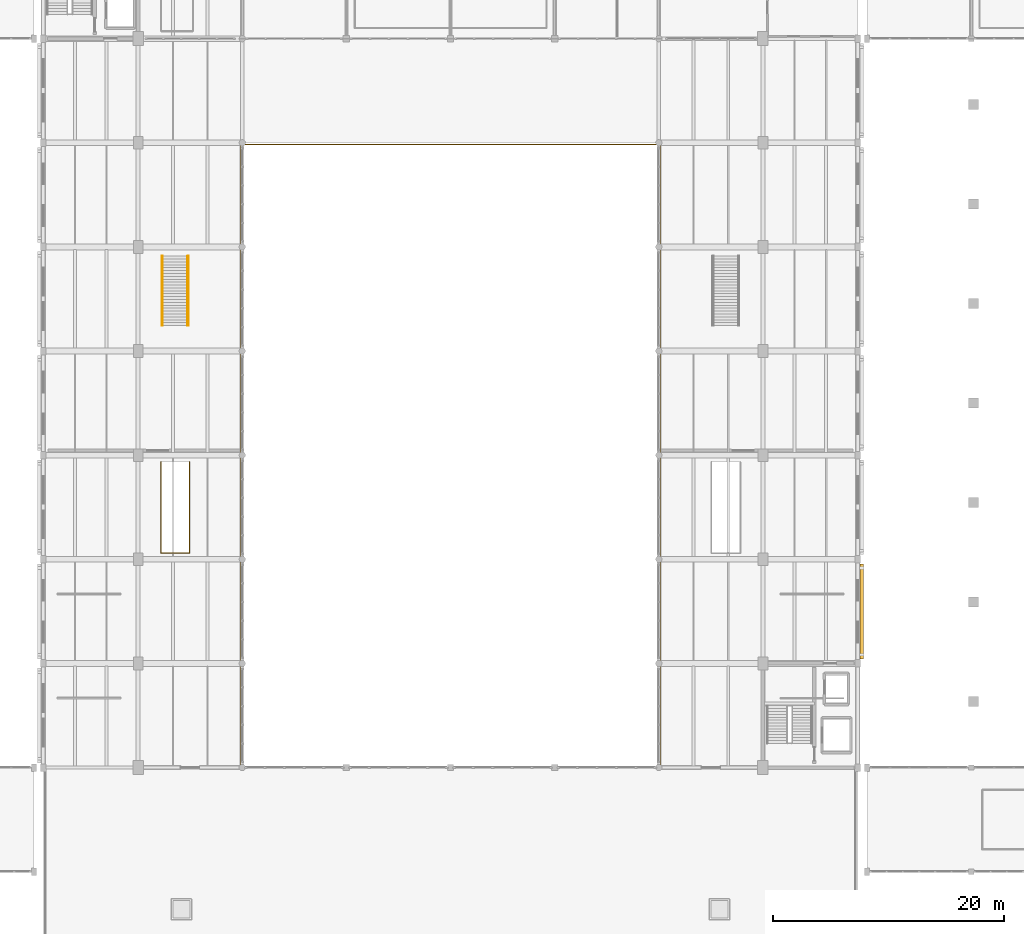
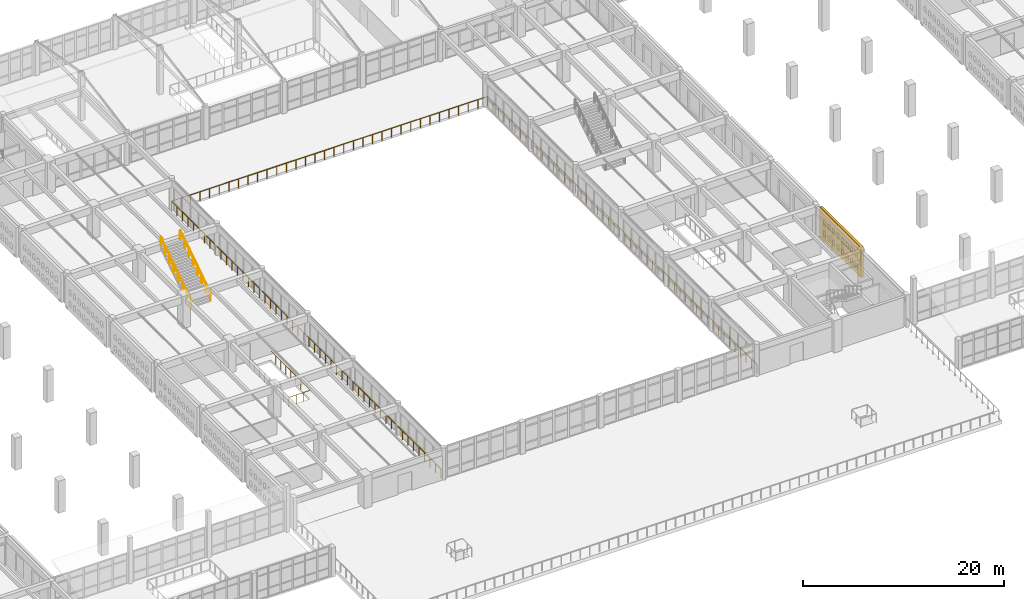
# One storey, part 147 of 156: 6 railings, 1 covering.
"""IFC4 building model written with IfcOpenShell, lengths in metres."""

from ifc_helpers import new_model, si_unit, direction, frame, origin, origin_2d, place, context, subcontext, project, spatial, polyline, circle, outline, extrude, material, layer, layer_set, type_object, element, save


model = new_model("IFC4")

# Units and contexts
model_context = context("Model", 3, precision=1e-05, world=origin(), true_north=direction((0.0, 1.0)))
body_context = subcontext(model_context, "Body", "Model", "MODEL_VIEW")
ifc_project = project(units=[si_unit("LENGTHUNIT", "METRE"), si_unit("AREAUNIT", "SQUARE_METRE"), si_unit("VOLUMEUNIT", "CUBIC_METRE"), si_unit("PLANEANGLEUNIT", "RADIAN"), si_unit("MASSUNIT", "GRAM", prefix="KILO")], contexts=[model_context])

# Site, building, storey
site_placement = place(None, origin())
site = spatial("IfcSite", under=ifc_project, at=site_placement, CompositionType="ELEMENT")
building_placement = place(site_placement, origin())
building = spatial("IfcBuilding", under=site, at=building_placement, Name="Ornek Quay Market", CompositionType="ELEMENT")
storey_placement = place(building_placement, frame((0.0, 0.0, 4.5)))
storey = spatial("IfcBuildingStorey", under=building, at=storey_placement, Name="L01", CompositionType="ELEMENT", Elevation=4.5)

# Covering
ifc_material_1 = material(Name="Frost-resistant facing clay brick M200 F100", Category="masonry")
ifc_layer = layer(ifc_material_1, 0.2900390625, Name="Frost-resistant facing clay brick M200 F100", Category="masonry")
ifc_layer_set = layer_set([ifc_layer], Name="Frost-resistant facing clay brick M200 F100")
covering_type = type_object("IfcCoveringType", Name="COV-BRICK-LATTICE-290", PredefinedType="CLADDING", material=ifc_layer_set)
covering_placement = place(storey_placement, frame((125.5400390625, 38.39990234375, 0.0), z_axis=(0.0, 0.0, 1.0), x_axis=(0.0, 1.0, 0.0)))
element("IfcCovering", 1, at=covering_placement, inside=storey, type_object=covering_type, Name="Arched brick lattice screen BLS-049", PredefinedType="CLADDING", context=body_context, shape_type="SweptSolid", body=[
    extrude(outline(polyline([(0.0, 0.0), (8.2001953125, 0.0), (8.2001953125, 3.659912109375), (0.0, 3.659912109375), (0.0, 0.0)]), holes=[polyline([(0.7099609375, 0.550048828125), (1.18994140625, 0.550048828125), (1.18994140625, 1.050048828125), (1.070068359375, 1.2578125), (0.830078125, 1.2578125), (0.7099609375, 1.050048828125), (0.7099609375, 0.550048828125)]), polyline([(0.7099609375, 1.949951171875), (1.18994140625, 1.949951171875), (1.18994140625, 2.449951171875), (1.070068359375, 2.65771484375), (0.830078125, 2.65771484375), (0.7099609375, 2.449951171875), (0.7099609375, 1.949951171875)]), polyline([(1.610107421875, 0.550048828125), (2.090087890625, 0.550048828125), (2.090087890625, 1.050048828125), (1.969970703125, 1.2578125), (1.72998046875, 1.2578125), (1.610107421875, 1.050048828125), (1.610107421875, 0.550048828125)]), polyline([(1.610107421875, 1.949951171875), (2.090087890625, 1.949951171875), (2.090087890625, 2.449951171875), (1.969970703125, 2.65771484375), (1.72998046875, 2.65771484375), (1.610107421875, 2.449951171875), (1.610107421875, 1.949951171875)]), polyline([(2.510009765625, 0.550048828125), (2.989990234375, 0.550048828125), (2.989990234375, 1.050048828125), (2.8701171875, 1.2578125), (2.6298828125, 1.2578125), (2.510009765625, 1.050048828125), (2.510009765625, 0.550048828125)]), polyline([(2.510009765625, 1.949951171875), (2.989990234375, 1.949951171875), (2.989990234375, 2.449951171875), (2.8701171875, 2.65771484375), (2.6298828125, 2.65771484375), (2.510009765625, 2.449951171875), (2.510009765625, 1.949951171875)]), polyline([(3.409912109375, 0.550048828125), (3.889892578125, 0.550048828125), (3.889892578125, 1.050048828125), (3.77001953125, 1.2578125), (3.530029296875, 1.2578125), (3.409912109375, 1.050048828125), (3.409912109375, 0.550048828125)]), polyline([(3.409912109375, 1.949951171875), (3.889892578125, 1.949951171875), (3.889892578125, 2.449951171875), (3.77001953125, 2.65771484375), (3.530029296875, 2.65771484375), (3.409912109375, 2.449951171875), (3.409912109375, 1.949951171875)]), polyline([(4.31005859375, 0.550048828125), (4.7900390625, 0.550048828125), (4.7900390625, 1.050048828125), (4.669921875, 1.2578125), (4.429931640625, 1.2578125), (4.31005859375, 1.050048828125), (4.31005859375, 0.550048828125)]), polyline([(4.31005859375, 1.949951171875), (4.7900390625, 1.949951171875), (4.7900390625, 2.449951171875), (4.669921875, 2.65771484375), (4.429931640625, 2.65771484375), (4.31005859375, 2.449951171875), (4.31005859375, 1.949951171875)]), polyline([(5.2099609375, 0.550048828125), (5.68994140625, 0.550048828125), (5.68994140625, 1.050048828125), (5.570068359375, 1.2578125), (5.330078125, 1.2578125), (5.2099609375, 1.050048828125), (5.2099609375, 0.550048828125)]), polyline([(5.2099609375, 1.949951171875), (5.68994140625, 1.949951171875), (5.68994140625, 2.449951171875), (5.570068359375, 2.65771484375), (5.330078125, 2.65771484375), (5.2099609375, 2.449951171875), (5.2099609375, 1.949951171875)]), polyline([(6.110107421875, 0.550048828125), (6.590087890625, 0.550048828125), (6.590087890625, 1.050048828125), (6.469970703125, 1.2578125), (6.22998046875, 1.2578125), (6.110107421875, 1.050048828125), (6.110107421875, 0.550048828125)]), polyline([(6.110107421875, 1.949951171875), (6.590087890625, 1.949951171875), (6.590087890625, 2.449951171875), (6.469970703125, 2.65771484375), (6.22998046875, 2.65771484375), (6.110107421875, 2.449951171875), (6.110107421875, 1.949951171875)]), polyline([(7.010009765625, 0.550048828125), (7.489990234375, 0.550048828125), (7.489990234375, 1.050048828125), (7.3701171875, 1.2578125), (7.1298828125, 1.2578125), (7.010009765625, 1.050048828125), (7.010009765625, 0.550048828125)]), polyline([(7.010009765625, 1.949951171875), (7.489990234375, 1.949951171875), (7.489990234375, 2.449951171875), (7.3701171875, 2.65771484375), (7.1298828125, 2.65771484375), (7.010009765625, 2.449951171875), (7.010009765625, 1.949951171875)])]), frame((0.0, 0.14501953125, 0.0), z_axis=(0.0, -1.0, 0.0), x_axis=(1.0, 0.0, 0.0)), (0.0, 0.0, 1.0), 0.2900390625),
])

# Railings
ifc_material_2 = material(Name="Painted steel S355 and vertical infill bars", Category="steel")
railing_type_1 = type_object("IfcRailingType", Name="RL-GUARD-GAL-1100", PredefinedType="GUARDRAIL", material=ifc_material_2)
railing_1_placement = place(storey_placement, frame((64.9599609375, 55.39990234375, 0.0)))
element("IfcRailing", 2, at=railing_1_placement, inside=storey, type_object=railing_type_1, Name="Railing GR-01-069", PredefinedType="GUARDRAIL", context=body_context, shape_type="SweptSolid", body=[
    extrude(circle(Radius=0.02392578125, at=origin_2d()), frame((0.0, 0.0, 1.09619140625), z_axis=(0.0, -1.0, 0.0), x_axis=(1.0, 0.0, 0.0)), (0.0, 0.0, 1.0), 7.829833984375),
    extrude(circle(Radius=0.02392578125, at=origin_2d()), frame((0.030029296875, -7.85986328125, 1.09619140625), z_axis=(1.0, 0.0, 0.0), x_axis=(0.0, 1.0, 0.0)), (0.0, 0.0, 1.0), 2.419921875),
    extrude(circle(Radius=0.02392578125, at=origin_2d()), frame((2.47998046875, -7.829833984375, 1.09619140625), z_axis=(0.0, 1.0, 0.0), x_axis=(-1.0, 0.0, 0.0)), (0.0, 0.0, 1.0), 7.829833984375),
    extrude(circle(Radius=0.02099609375, at=origin_2d()), origin(), (0.0, 0.0, 1.0), 1.068115234375),
    extrude(circle(Radius=0.02099609375, at=origin_2d()), frame((0.0, -0.982421875, 0.0)), (0.0, 0.0, 1.0), 1.068115234375),
    extrude(circle(Radius=0.02099609375, at=origin_2d()), frame((0.0, -1.96484375, 0.0)), (0.0, 0.0, 1.0), 1.068115234375),
    extrude(circle(Radius=0.02099609375, at=origin_2d()), frame((0.0, -2.947509765625, 0.0)), (0.0, 0.0, 1.0), 1.068115234375),
    extrude(circle(Radius=0.02099609375, at=origin_2d()), frame((0.0, -3.929931640625, 0.0)), (0.0, 0.0, 1.0), 1.068115234375),
    extrude(circle(Radius=0.02099609375, at=origin_2d()), frame((0.0, -4.912353515625, 0.0)), (0.0, 0.0, 1.0), 1.068115234375),
    extrude(circle(Radius=0.02099609375, at=origin_2d()), frame((0.0, -5.89501953125, 0.0)), (0.0, 0.0, 1.0), 1.068115234375),
    extrude(circle(Radius=0.02099609375, at=origin_2d()), frame((0.0, -6.87744140625, 0.0)), (0.0, 0.0, 1.0), 1.068115234375),
    extrude(circle(Radius=0.02099609375, at=origin_2d()), frame((0.0, -7.85986328125, 0.0)), (0.0, 0.0, 1.0), 1.068115234375),
    extrude(circle(Radius=0.02099609375, at=origin_2d()), frame((0.82666015625, -7.85986328125, 0.0)), (0.0, 0.0, 1.0), 1.068115234375),
    extrude(circle(Radius=0.02099609375, at=origin_2d()), frame((1.6533203125, -7.85986328125, 0.0)), (0.0, 0.0, 1.0), 1.068115234375),
    extrude(circle(Radius=0.02099609375, at=origin_2d()), frame((2.47998046875, -7.85986328125, 0.0)), (0.0, 0.0, 1.0), 1.068115234375),
    extrude(circle(Radius=0.02099609375, at=origin_2d()), frame((2.47998046875, -6.87744140625, 0.0)), (0.0, 0.0, 1.0), 1.068115234375),
    extrude(circle(Radius=0.02099609375, at=origin_2d()), frame((2.47998046875, -5.89501953125, 0.0)), (0.0, 0.0, 1.0), 1.068115234375),
    extrude(circle(Radius=0.02099609375, at=origin_2d()), frame((2.47998046875, -4.912353515625, 0.0)), (0.0, 0.0, 1.0), 1.068115234375),
    extrude(circle(Radius=0.02099609375, at=origin_2d()), frame((2.47998046875, -3.929931640625, 0.0)), (0.0, 0.0, 1.0), 1.068115234375),
    extrude(circle(Radius=0.02099609375, at=origin_2d()), frame((2.47998046875, -2.947509765625, 0.0)), (0.0, 0.0, 1.0), 1.068115234375),
    extrude(circle(Radius=0.02099609375, at=origin_2d()), frame((2.47998046875, -1.96484375, 0.0)), (0.0, 0.0, 1.0), 1.068115234375),
    extrude(circle(Radius=0.02099609375, at=origin_2d()), frame((2.47998046875, -0.982421875, 0.0)), (0.0, 0.0, 1.0), 1.068115234375),
    extrude(circle(Radius=0.02099609375, at=origin_2d()), frame((2.47998046875, 0.0, 0.0)), (0.0, 0.0, 1.0), 1.068115234375),
])
railing_2_placement = place(storey_placement, frame((71.85009765625, 29.199951171875, 0.0)))
element("IfcRailing", 3, at=railing_2_placement, inside=storey, type_object=railing_type_1, Name="Railing GR-01-128", PredefinedType="GUARDRAIL", context=body_context, shape_type="SweptSolid", body=[
    extrude(circle(Radius=0.02392578125, at=origin_2d()), frame((0.0, 0.0, 1.09619140625), z_axis=(0.0, 1.0, 0.0), x_axis=(-1.0, 0.0, 0.0)), (0.0, 0.0, 1.0), 53.6201171875),
    extrude(circle(Radius=0.02392578125, at=origin_2d()), frame((0.030029296875, 53.650146484375, 1.09619140625), z_axis=(1.0, 0.0, 0.0), x_axis=(0.0, 1.0, 0.0)), (0.0, 0.0, 1.0), 36.23974609375),
    extrude(circle(Radius=0.02392578125, at=origin_2d()), frame((36.2998046875, 53.6201171875, 1.09619140625), z_axis=(0.0, -1.0, 0.0), x_axis=(1.0, 0.0, 0.0)), (0.0, 0.0, 1.0), 53.6201171875),
    extrude(circle(Radius=0.02099609375, at=origin_2d()), origin(), (0.0, 0.0, 1.0), 1.068115234375),
    extrude(circle(Radius=0.02099609375, at=origin_2d()), frame((0.0, 1.094970703125, 0.0)), (0.0, 0.0, 1.0), 1.068115234375),
    extrude(circle(Radius=0.02099609375, at=origin_2d()), frame((0.0, 2.189697265625, 0.0)), (0.0, 0.0, 1.0), 1.068115234375),
    extrude(circle(Radius=0.02099609375, at=origin_2d()), frame((0.0, 3.28466796875, 0.0)), (0.0, 0.0, 1.0), 1.068115234375),
    extrude(circle(Radius=0.02099609375, at=origin_2d()), frame((0.0, 4.379638671875, 0.0)), (0.0, 0.0, 1.0), 1.068115234375),
    extrude(circle(Radius=0.02099609375, at=origin_2d()), frame((0.0, 5.474609375, 0.0)), (0.0, 0.0, 1.0), 1.068115234375),
    extrude(circle(Radius=0.02099609375, at=origin_2d()), frame((0.0, 6.5693359375, 0.0)), (0.0, 0.0, 1.0), 1.068115234375),
    extrude(circle(Radius=0.02099609375, at=origin_2d()), frame((0.0, 7.664306640625, 0.0)), (0.0, 0.0, 1.0), 1.068115234375),
    extrude(circle(Radius=0.02099609375, at=origin_2d()), frame((0.0, 8.75927734375, 0.0)), (0.0, 0.0, 1.0), 1.068115234375),
    extrude(circle(Radius=0.02099609375, at=origin_2d()), frame((0.0, 9.85400390625, 0.0)), (0.0, 0.0, 1.0), 1.068115234375),
    extrude(circle(Radius=0.02099609375, at=origin_2d()), frame((0.0, 10.948974609375, 0.0)), (0.0, 0.0, 1.0), 1.068115234375),
    extrude(circle(Radius=0.02099609375, at=origin_2d()), frame((0.0, 12.0439453125, 0.0)), (0.0, 0.0, 1.0), 1.068115234375),
    extrude(circle(Radius=0.02099609375, at=origin_2d()), frame((0.0, 13.138916015625, 0.0)), (0.0, 0.0, 1.0), 1.068115234375),
    extrude(circle(Radius=0.02099609375, at=origin_2d()), frame((0.0, 14.233642578125, 0.0)), (0.0, 0.0, 1.0), 1.068115234375),
    extrude(circle(Radius=0.02099609375, at=origin_2d()), frame((0.0, 15.32861328125, 0.0)), (0.0, 0.0, 1.0), 1.068115234375),
    extrude(circle(Radius=0.02099609375, at=origin_2d()), frame((0.0, 16.423583984375, 0.0)), (0.0, 0.0, 1.0), 1.068115234375),
    extrude(circle(Radius=0.02099609375, at=origin_2d()), frame((0.0, 17.518310546875, 0.0)), (0.0, 0.0, 1.0), 1.068115234375),
    extrude(circle(Radius=0.02099609375, at=origin_2d()), frame((0.0, 18.61328125, 0.0)), (0.0, 0.0, 1.0), 1.068115234375),
    extrude(circle(Radius=0.02099609375, at=origin_2d()), frame((0.0, 19.708251953125, 0.0)), (0.0, 0.0, 1.0), 1.068115234375),
    extrude(circle(Radius=0.02099609375, at=origin_2d()), frame((0.0, 20.80322265625, 0.0)), (0.0, 0.0, 1.0), 1.068115234375),
    extrude(circle(Radius=0.02099609375, at=origin_2d()), frame((0.0, 21.89794921875, 0.0)), (0.0, 0.0, 1.0), 1.068115234375),
    extrude(circle(Radius=0.02099609375, at=origin_2d()), frame((0.0, 22.992919921875, 0.0)), (0.0, 0.0, 1.0), 1.068115234375),
    extrude(circle(Radius=0.02099609375, at=origin_2d()), frame((0.0, 24.087890625, 0.0)), (0.0, 0.0, 1.0), 1.068115234375),
    extrude(circle(Radius=0.02099609375, at=origin_2d()), frame((0.0, 25.1826171875, 0.0)), (0.0, 0.0, 1.0), 1.068115234375),
    extrude(circle(Radius=0.02099609375, at=origin_2d()), frame((0.0, 26.277587890625, 0.0)), (0.0, 0.0, 1.0), 1.068115234375),
    extrude(circle(Radius=0.02099609375, at=origin_2d()), frame((0.0, 27.37255859375, 0.0)), (0.0, 0.0, 1.0), 1.068115234375),
    extrude(circle(Radius=0.02099609375, at=origin_2d()), frame((0.0, 28.467529296875, 0.0)), (0.0, 0.0, 1.0), 1.068115234375),
    extrude(circle(Radius=0.02099609375, at=origin_2d()), frame((0.0, 29.562255859375, 0.0)), (0.0, 0.0, 1.0), 1.068115234375),
    extrude(circle(Radius=0.02099609375, at=origin_2d()), frame((0.0, 30.6572265625, 0.0)), (0.0, 0.0, 1.0), 1.068115234375),
    extrude(circle(Radius=0.02099609375, at=origin_2d()), frame((0.0, 31.752197265625, 0.0)), (0.0, 0.0, 1.0), 1.068115234375),
    extrude(circle(Radius=0.02099609375, at=origin_2d()), frame((0.0, 32.846923828125, 0.0)), (0.0, 0.0, 1.0), 1.068115234375),
    extrude(circle(Radius=0.02099609375, at=origin_2d()), frame((0.0, 33.94189453125, 0.0)), (0.0, 0.0, 1.0), 1.068115234375),
    extrude(circle(Radius=0.02099609375, at=origin_2d()), frame((0.0, 35.036865234375, 0.0)), (0.0, 0.0, 1.0), 1.068115234375),
    extrude(circle(Radius=0.02099609375, at=origin_2d()), frame((0.0, 36.1318359375, 0.0)), (0.0, 0.0, 1.0), 1.068115234375),
    extrude(circle(Radius=0.02099609375, at=origin_2d()), frame((0.0, 37.2265625, 0.0)), (0.0, 0.0, 1.0), 1.068115234375),
    extrude(circle(Radius=0.02099609375, at=origin_2d()), frame((0.0, 38.321533203125, 0.0)), (0.0, 0.0, 1.0), 1.068115234375),
    extrude(circle(Radius=0.02099609375, at=origin_2d()), frame((0.0, 39.41650390625, 0.0)), (0.0, 0.0, 1.0), 1.068115234375),
    extrude(circle(Radius=0.02099609375, at=origin_2d()), frame((0.0, 40.51123046875, 0.0)), (0.0, 0.0, 1.0), 1.068115234375),
    extrude(circle(Radius=0.02099609375, at=origin_2d()), frame((0.0, 41.606201171875, 0.0)), (0.0, 0.0, 1.0), 1.068115234375),
    extrude(circle(Radius=0.02099609375, at=origin_2d()), frame((0.0, 42.701171875, 0.0)), (0.0, 0.0, 1.0), 1.068115234375),
    extrude(circle(Radius=0.02099609375, at=origin_2d()), frame((0.0, 43.796142578125, 0.0)), (0.0, 0.0, 1.0), 1.068115234375),
    extrude(circle(Radius=0.02099609375, at=origin_2d()), frame((0.0, 44.890869140625, 0.0)), (0.0, 0.0, 1.0), 1.068115234375),
    extrude(circle(Radius=0.02099609375, at=origin_2d()), frame((0.0, 45.98583984375, 0.0)), (0.0, 0.0, 1.0), 1.068115234375),
    extrude(circle(Radius=0.02099609375, at=origin_2d()), frame((0.0, 47.080810546875, 0.0)), (0.0, 0.0, 1.0), 1.068115234375),
    extrude(circle(Radius=0.02099609375, at=origin_2d()), frame((0.0, 48.175537109375, 0.0)), (0.0, 0.0, 1.0), 1.068115234375),
    extrude(circle(Radius=0.02099609375, at=origin_2d()), frame((0.0, 49.2705078125, 0.0)), (0.0, 0.0, 1.0), 1.068115234375),
    extrude(circle(Radius=0.02099609375, at=origin_2d()), frame((0.0, 50.365478515625, 0.0)), (0.0, 0.0, 1.0), 1.068115234375),
    extrude(circle(Radius=0.02099609375, at=origin_2d()), frame((0.0, 51.46044921875, 0.0)), (0.0, 0.0, 1.0), 1.068115234375),
    extrude(circle(Radius=0.02099609375, at=origin_2d()), frame((0.0, 52.55517578125, 0.0)), (0.0, 0.0, 1.0), 1.068115234375),
    extrude(circle(Radius=0.02099609375, at=origin_2d()), frame((0.0, 53.650146484375, 0.0)), (0.0, 0.0, 1.0), 1.068115234375),
    extrude(circle(Radius=0.02099609375, at=origin_2d()), frame((1.10009765625, 53.650146484375, 0.0)), (0.0, 0.0, 1.0), 1.068115234375),
    extrude(circle(Radius=0.02099609375, at=origin_2d()), frame((2.199951171875, 53.650146484375, 0.0)), (0.0, 0.0, 1.0), 1.068115234375),
    extrude(circle(Radius=0.02099609375, at=origin_2d()), frame((3.300048828125, 53.650146484375, 0.0)), (0.0, 0.0, 1.0), 1.068115234375),
    extrude(circle(Radius=0.02099609375, at=origin_2d()), frame((4.39990234375, 53.650146484375, 0.0)), (0.0, 0.0, 1.0), 1.068115234375),
    extrude(circle(Radius=0.02099609375, at=origin_2d()), frame((5.5, 53.650146484375, 0.0)), (0.0, 0.0, 1.0), 1.068115234375),
    extrude(circle(Radius=0.02099609375, at=origin_2d()), frame((6.599853515625, 53.650146484375, 0.0)), (0.0, 0.0, 1.0), 1.068115234375),
    extrude(circle(Radius=0.02099609375, at=origin_2d()), frame((7.699951171875, 53.650146484375, 0.0)), (0.0, 0.0, 1.0), 1.068115234375),
    extrude(circle(Radius=0.02099609375, at=origin_2d()), frame((8.800048828125, 53.650146484375, 0.0)), (0.0, 0.0, 1.0), 1.068115234375),
    extrude(circle(Radius=0.02099609375, at=origin_2d()), frame((9.89990234375, 53.650146484375, 0.0)), (0.0, 0.0, 1.0), 1.068115234375),
    extrude(circle(Radius=0.02099609375, at=origin_2d()), frame((11.0, 53.650146484375, 0.0)), (0.0, 0.0, 1.0), 1.068115234375),
    extrude(circle(Radius=0.02099609375, at=origin_2d()), frame((12.099853515625, 53.650146484375, 0.0)), (0.0, 0.0, 1.0), 1.068115234375),
    extrude(circle(Radius=0.02099609375, at=origin_2d()), frame((13.199951171875, 53.650146484375, 0.0)), (0.0, 0.0, 1.0), 1.068115234375),
    extrude(circle(Radius=0.02099609375, at=origin_2d()), frame((14.2998046875, 53.650146484375, 0.0)), (0.0, 0.0, 1.0), 1.068115234375),
    extrude(circle(Radius=0.02099609375, at=origin_2d()), frame((15.39990234375, 53.650146484375, 0.0)), (0.0, 0.0, 1.0), 1.068115234375),
    extrude(circle(Radius=0.02099609375, at=origin_2d()), frame((16.5, 53.650146484375, 0.0)), (0.0, 0.0, 1.0), 1.068115234375),
    extrude(circle(Radius=0.02099609375, at=origin_2d()), frame((17.599853515625, 53.650146484375, 0.0)), (0.0, 0.0, 1.0), 1.068115234375),
    extrude(circle(Radius=0.02099609375, at=origin_2d()), frame((18.699951171875, 53.650146484375, 0.0)), (0.0, 0.0, 1.0), 1.068115234375),
    extrude(circle(Radius=0.02099609375, at=origin_2d()), frame((19.7998046875, 53.650146484375, 0.0)), (0.0, 0.0, 1.0), 1.068115234375),
    extrude(circle(Radius=0.02099609375, at=origin_2d()), frame((20.89990234375, 53.650146484375, 0.0)), (0.0, 0.0, 1.0), 1.068115234375),
    extrude(circle(Radius=0.02099609375, at=origin_2d()), frame((22.0, 53.650146484375, 0.0)), (0.0, 0.0, 1.0), 1.068115234375),
    extrude(circle(Radius=0.02099609375, at=origin_2d()), frame((23.099853515625, 53.650146484375, 0.0)), (0.0, 0.0, 1.0), 1.068115234375),
    extrude(circle(Radius=0.02099609375, at=origin_2d()), frame((24.199951171875, 53.650146484375, 0.0)), (0.0, 0.0, 1.0), 1.068115234375),
    extrude(circle(Radius=0.02099609375, at=origin_2d()), frame((25.2998046875, 53.650146484375, 0.0)), (0.0, 0.0, 1.0), 1.068115234375),
    extrude(circle(Radius=0.02099609375, at=origin_2d()), frame((26.39990234375, 53.650146484375, 0.0)), (0.0, 0.0, 1.0), 1.068115234375),
    extrude(circle(Radius=0.02099609375, at=origin_2d()), frame((27.499755859375, 53.650146484375, 0.0)), (0.0, 0.0, 1.0), 1.068115234375),
    extrude(circle(Radius=0.02099609375, at=origin_2d()), frame((28.599853515625, 53.650146484375, 0.0)), (0.0, 0.0, 1.0), 1.068115234375),
    extrude(circle(Radius=0.02099609375, at=origin_2d()), frame((29.699951171875, 53.650146484375, 0.0)), (0.0, 0.0, 1.0), 1.068115234375),
    extrude(circle(Radius=0.02099609375, at=origin_2d()), frame((30.7998046875, 53.650146484375, 0.0)), (0.0, 0.0, 1.0), 1.068115234375),
    extrude(circle(Radius=0.02099609375, at=origin_2d()), frame((31.89990234375, 53.650146484375, 0.0)), (0.0, 0.0, 1.0), 1.068115234375),
    extrude(circle(Radius=0.02099609375, at=origin_2d()), frame((32.999755859375, 53.650146484375, 0.0)), (0.0, 0.0, 1.0), 1.068115234375),
    extrude(circle(Radius=0.02099609375, at=origin_2d()), frame((34.099853515625, 53.650146484375, 0.0)), (0.0, 0.0, 1.0), 1.068115234375),
    extrude(circle(Radius=0.02099609375, at=origin_2d()), frame((35.19970703125, 53.650146484375, 0.0)), (0.0, 0.0, 1.0), 1.068115234375),
    extrude(circle(Radius=0.02099609375, at=origin_2d()), frame((36.2998046875, 53.650146484375, 0.0)), (0.0, 0.0, 1.0), 1.068115234375),
    extrude(circle(Radius=0.02099609375, at=origin_2d()), frame((36.2998046875, 52.55517578125, 0.0)), (0.0, 0.0, 1.0), 1.068115234375),
    extrude(circle(Radius=0.02099609375, at=origin_2d()), frame((36.2998046875, 51.46044921875, 0.0)), (0.0, 0.0, 1.0), 1.068115234375),
    extrude(circle(Radius=0.02099609375, at=origin_2d()), frame((36.2998046875, 50.365478515625, 0.0)), (0.0, 0.0, 1.0), 1.068115234375),
    extrude(circle(Radius=0.02099609375, at=origin_2d()), frame((36.2998046875, 49.2705078125, 0.0)), (0.0, 0.0, 1.0), 1.068115234375),
    extrude(circle(Radius=0.02099609375, at=origin_2d()), frame((36.2998046875, 48.175537109375, 0.0)), (0.0, 0.0, 1.0), 1.068115234375),
    extrude(circle(Radius=0.02099609375, at=origin_2d()), frame((36.2998046875, 47.080810546875, 0.0)), (0.0, 0.0, 1.0), 1.068115234375),
    extrude(circle(Radius=0.02099609375, at=origin_2d()), frame((36.2998046875, 45.98583984375, 0.0)), (0.0, 0.0, 1.0), 1.068115234375),
    extrude(circle(Radius=0.02099609375, at=origin_2d()), frame((36.2998046875, 44.890869140625, 0.0)), (0.0, 0.0, 1.0), 1.068115234375),
    extrude(circle(Radius=0.02099609375, at=origin_2d()), frame((36.2998046875, 43.796142578125, 0.0)), (0.0, 0.0, 1.0), 1.068115234375),
    extrude(circle(Radius=0.02099609375, at=origin_2d()), frame((36.2998046875, 42.701171875, 0.0)), (0.0, 0.0, 1.0), 1.068115234375),
    extrude(circle(Radius=0.02099609375, at=origin_2d()), frame((36.2998046875, 41.606201171875, 0.0)), (0.0, 0.0, 1.0), 1.068115234375),
    extrude(circle(Radius=0.02099609375, at=origin_2d()), frame((36.2998046875, 40.51123046875, 0.0)), (0.0, 0.0, 1.0), 1.068115234375),
    extrude(circle(Radius=0.02099609375, at=origin_2d()), frame((36.2998046875, 39.41650390625, 0.0)), (0.0, 0.0, 1.0), 1.068115234375),
    extrude(circle(Radius=0.02099609375, at=origin_2d()), frame((36.2998046875, 38.321533203125, 0.0)), (0.0, 0.0, 1.0), 1.068115234375),
    extrude(circle(Radius=0.02099609375, at=origin_2d()), frame((36.2998046875, 37.2265625, 0.0)), (0.0, 0.0, 1.0), 1.068115234375),
    extrude(circle(Radius=0.02099609375, at=origin_2d()), frame((36.2998046875, 36.1318359375, 0.0)), (0.0, 0.0, 1.0), 1.068115234375),
    extrude(circle(Radius=0.02099609375, at=origin_2d()), frame((36.2998046875, 35.036865234375, 0.0)), (0.0, 0.0, 1.0), 1.068115234375),
    extrude(circle(Radius=0.02099609375, at=origin_2d()), frame((36.2998046875, 33.94189453125, 0.0)), (0.0, 0.0, 1.0), 1.068115234375),
    extrude(circle(Radius=0.02099609375, at=origin_2d()), frame((36.2998046875, 32.846923828125, 0.0)), (0.0, 0.0, 1.0), 1.068115234375),
    extrude(circle(Radius=0.02099609375, at=origin_2d()), frame((36.2998046875, 31.752197265625, 0.0)), (0.0, 0.0, 1.0), 1.068115234375),
    extrude(circle(Radius=0.02099609375, at=origin_2d()), frame((36.2998046875, 30.6572265625, 0.0)), (0.0, 0.0, 1.0), 1.068115234375),
    extrude(circle(Radius=0.02099609375, at=origin_2d()), frame((36.2998046875, 29.562255859375, 0.0)), (0.0, 0.0, 1.0), 1.068115234375),
    extrude(circle(Radius=0.02099609375, at=origin_2d()), frame((36.2998046875, 28.467529296875, 0.0)), (0.0, 0.0, 1.0), 1.068115234375),
    extrude(circle(Radius=0.02099609375, at=origin_2d()), frame((36.2998046875, 27.37255859375, 0.0)), (0.0, 0.0, 1.0), 1.068115234375),
    extrude(circle(Radius=0.02099609375, at=origin_2d()), frame((36.2998046875, 26.277587890625, 0.0)), (0.0, 0.0, 1.0), 1.068115234375),
    extrude(circle(Radius=0.02099609375, at=origin_2d()), frame((36.2998046875, 25.1826171875, 0.0)), (0.0, 0.0, 1.0), 1.068115234375),
    extrude(circle(Radius=0.02099609375, at=origin_2d()), frame((36.2998046875, 24.087890625, 0.0)), (0.0, 0.0, 1.0), 1.068115234375),
    extrude(circle(Radius=0.02099609375, at=origin_2d()), frame((36.2998046875, 22.992919921875, 0.0)), (0.0, 0.0, 1.0), 1.068115234375),
    extrude(circle(Radius=0.02099609375, at=origin_2d()), frame((36.2998046875, 21.89794921875, 0.0)), (0.0, 0.0, 1.0), 1.068115234375),
    extrude(circle(Radius=0.02099609375, at=origin_2d()), frame((36.2998046875, 20.80322265625, 0.0)), (0.0, 0.0, 1.0), 1.068115234375),
    extrude(circle(Radius=0.02099609375, at=origin_2d()), frame((36.2998046875, 19.708251953125, 0.0)), (0.0, 0.0, 1.0), 1.068115234375),
    extrude(circle(Radius=0.02099609375, at=origin_2d()), frame((36.2998046875, 18.61328125, 0.0)), (0.0, 0.0, 1.0), 1.068115234375),
    extrude(circle(Radius=0.02099609375, at=origin_2d()), frame((36.2998046875, 17.518310546875, 0.0)), (0.0, 0.0, 1.0), 1.068115234375),
    extrude(circle(Radius=0.02099609375, at=origin_2d()), frame((36.2998046875, 16.423583984375, 0.0)), (0.0, 0.0, 1.0), 1.068115234375),
    extrude(circle(Radius=0.02099609375, at=origin_2d()), frame((36.2998046875, 15.32861328125, 0.0)), (0.0, 0.0, 1.0), 1.068115234375),
    extrude(circle(Radius=0.02099609375, at=origin_2d()), frame((36.2998046875, 14.233642578125, 0.0)), (0.0, 0.0, 1.0), 1.068115234375),
    extrude(circle(Radius=0.02099609375, at=origin_2d()), frame((36.2998046875, 13.138916015625, 0.0)), (0.0, 0.0, 1.0), 1.068115234375),
    extrude(circle(Radius=0.02099609375, at=origin_2d()), frame((36.2998046875, 12.0439453125, 0.0)), (0.0, 0.0, 1.0), 1.068115234375),
    extrude(circle(Radius=0.02099609375, at=origin_2d()), frame((36.2998046875, 10.948974609375, 0.0)), (0.0, 0.0, 1.0), 1.068115234375),
    extrude(circle(Radius=0.02099609375, at=origin_2d()), frame((36.2998046875, 9.85400390625, 0.0)), (0.0, 0.0, 1.0), 1.068115234375),
    extrude(circle(Radius=0.02099609375, at=origin_2d()), frame((36.2998046875, 8.75927734375, 0.0)), (0.0, 0.0, 1.0), 1.068115234375),
    extrude(circle(Radius=0.02099609375, at=origin_2d()), frame((36.2998046875, 7.664306640625, 0.0)), (0.0, 0.0, 1.0), 1.068115234375),
    extrude(circle(Radius=0.02099609375, at=origin_2d()), frame((36.2998046875, 6.5693359375, 0.0)), (0.0, 0.0, 1.0), 1.068115234375),
    extrude(circle(Radius=0.02099609375, at=origin_2d()), frame((36.2998046875, 5.474609375, 0.0)), (0.0, 0.0, 1.0), 1.068115234375),
    extrude(circle(Radius=0.02099609375, at=origin_2d()), frame((36.2998046875, 4.379638671875, 0.0)), (0.0, 0.0, 1.0), 1.068115234375),
    extrude(circle(Radius=0.02099609375, at=origin_2d()), frame((36.2998046875, 3.28466796875, 0.0)), (0.0, 0.0, 1.0), 1.068115234375),
    extrude(circle(Radius=0.02099609375, at=origin_2d()), frame((36.2998046875, 2.189697265625, 0.0)), (0.0, 0.0, 1.0), 1.068115234375),
    extrude(circle(Radius=0.02099609375, at=origin_2d()), frame((36.2998046875, 1.094970703125, 0.0)), (0.0, 0.0, 1.0), 1.068115234375),
    extrude(circle(Radius=0.02099609375, at=origin_2d()), frame((36.2998046875, 0.0, 0.0)), (0.0, 0.0, 1.0), 1.068115234375),
])
ifc_material_3 = material(Name="Brushed stainless steel 316", Category="steel")
railing_type_2 = type_object("IfcRailingType", Name="RL-GUARD-STAIR-1100", PredefinedType="GUARDRAIL", material=ifc_material_3)
for number, where, name in (
    (4, (65.06005859375, 67.2041015625, 0.0), "Railing GR-03-075"),
    (5, (67.340087890625, 67.2041015625, 0.0), "Railing GR-03-076"),
):
    element("IfcRailing", number, at=place(storey_placement, frame(where)), inside=storey, type_object=railing_type_2, Name=name, PredefinedType="GUARDRAIL", context=body_context, shape_type="SweptSolid", body=[
        extrude(circle(Radius=0.02392578125, at=origin_2d()), frame((0.0, 0.0, 1.09619140625), z_axis=(0.0, 0.838277470406, 0.545243874436), x_axis=(-1.0, 0.0, 0.0)), (0.0, 0.0, 1.0), 7.152587890625),
        extrude(circle(Radius=0.02099609375, at=origin_2d()), origin(), (0.0, 0.0, 1.0), 1.068115234375),
        extrude(circle(Radius=0.02099609375, at=origin_2d()), frame((0.0, 0.8564453125, 0.55712890625)), (0.0, 0.0, 1.0), 1.068115234375),
        extrude(circle(Radius=0.02099609375, at=origin_2d()), frame((0.0, 1.713134765625, 1.1142578125)), (0.0, 0.0, 1.0), 1.068115234375),
        extrude(circle(Radius=0.02099609375, at=origin_2d()), frame((0.0, 2.569580078125, 1.67138671875)), (0.0, 0.0, 1.0), 1.068115234375),
        extrude(circle(Radius=0.02099609375, at=origin_2d()), frame((0.0, 3.42626953125, 2.228515625)), (0.0, 0.0, 1.0), 1.068115234375),
        extrude(circle(Radius=0.02099609375, at=origin_2d()), frame((0.0, 4.28271484375, 2.78564453125)), (0.0, 0.0, 1.0), 1.068115234375),
        extrude(circle(Radius=0.02099609375, at=origin_2d()), frame((0.0, 5.139404296875, 3.3427734375)), (0.0, 0.0, 1.0), 1.068115234375),
        extrude(circle(Radius=0.02099609375, at=origin_2d()), frame((0.0, 5.995849609375, 3.89990234375)), (0.0, 0.0, 1.0), 1.068115234375),
    ])
railing_type_3 = type_object("IfcRailingType", Name="RL-HANDRAIL-920", PredefinedType="HANDRAIL", material=ifc_material_3)
for number, where, name in (
    (6, (65.1201171875, 67.2041015625, 0.080078125), "Railing HR-01-077"),
    (7, (67.280029296875, 67.2041015625, 0.080078125), "Railing HR-01-078"),
):
    element("IfcRailing", number, at=place(storey_placement, frame(where)), inside=storey, type_object=railing_type_3, Name=name, PredefinedType="HANDRAIL", context=body_context, shape_type="SweptSolid", body=[
        extrude(circle(Radius=0.02392578125, at=origin_2d()), frame((0.0, 0.0, 0.89599609375), z_axis=(0.0, 0.838277470406, 0.545243874436), x_axis=(-1.0, 0.0, 0.0)), (0.0, 0.0, 1.0), 7.152587890625),
        extrude(circle(Radius=0.02099609375, at=origin_2d()), origin(), (0.0, 0.0, 1.0), 0.867919921875),
        extrude(circle(Radius=0.02099609375, at=origin_2d()), frame((0.0, 0.8564453125, 0.55712890625)), (0.0, 0.0, 1.0), 0.867919921875),
        extrude(circle(Radius=0.02099609375, at=origin_2d()), frame((0.0, 1.713134765625, 1.1142578125)), (0.0, 0.0, 1.0), 0.867919921875),
        extrude(circle(Radius=0.02099609375, at=origin_2d()), frame((0.0, 2.569580078125, 1.67138671875)), (0.0, 0.0, 1.0), 0.867919921875),
        extrude(circle(Radius=0.02099609375, at=origin_2d()), frame((0.0, 3.42626953125, 2.228515625)), (0.0, 0.0, 1.0), 0.867919921875),
        extrude(circle(Radius=0.02099609375, at=origin_2d()), frame((0.0, 4.28271484375, 2.78564453125)), (0.0, 0.0, 1.0), 0.867919921875),
        extrude(circle(Radius=0.02099609375, at=origin_2d()), frame((0.0, 5.139404296875, 3.3427734375)), (0.0, 0.0, 1.0), 0.867919921875),
        extrude(circle(Radius=0.02099609375, at=origin_2d()), frame((0.0, 5.995849609375, 3.89990234375)), (0.0, 0.0, 1.0), 0.867919921875),
    ])

save(model, "model.ifc")
